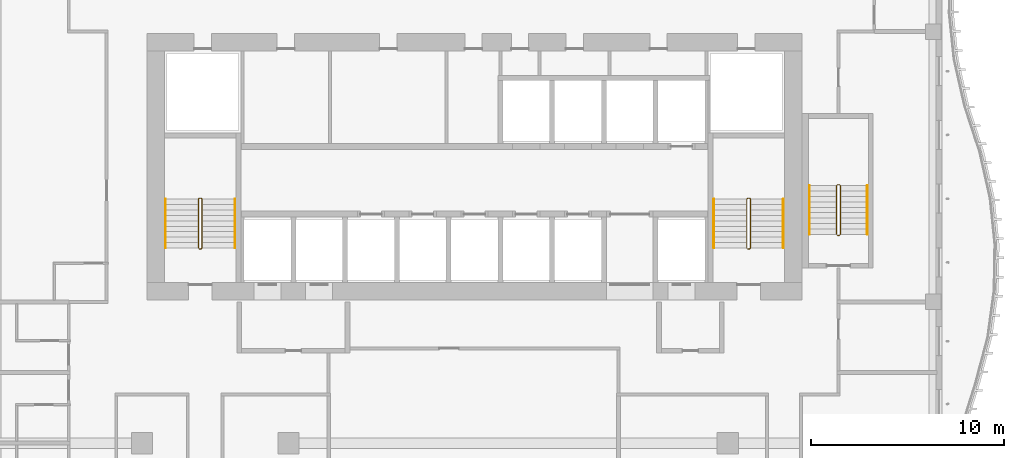
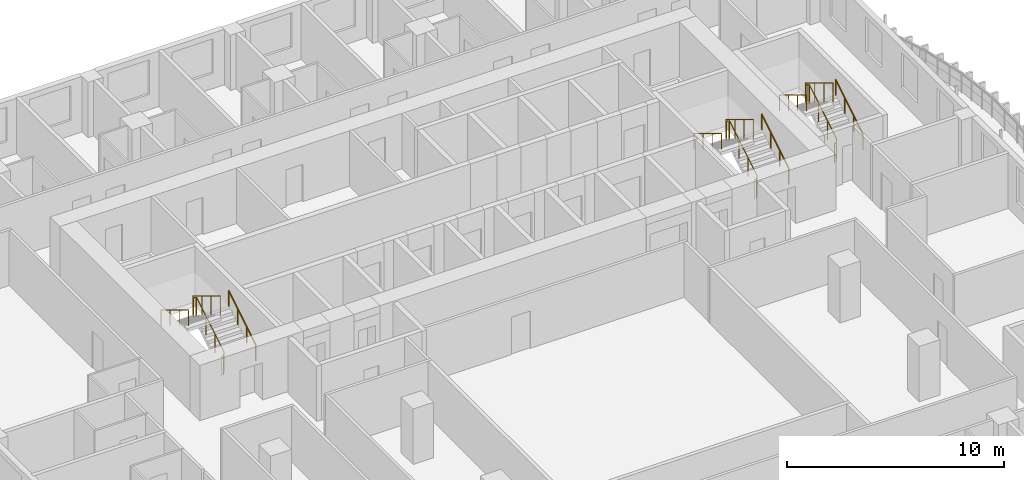
# One storey, part 22 of 23: 9 railings.
"""IFC4 building model written with IfcOpenShell, lengths in metres."""

from ifc_helpers import new_model, si_unit, direction, frame, origin, origin_2d, place, context, subcontext, project, spatial, circle, extrude, material, type_object, element, save


model = new_model("IFC4")

# Units and contexts
model_context = context("Model", 3, precision=1e-05, world=origin(), true_north=direction((0.0, 1.0)))
body_context = subcontext(model_context, "Body", "Model", "MODEL_VIEW")
ifc_project = project(units=[si_unit("LENGTHUNIT", "METRE"), si_unit("AREAUNIT", "SQUARE_METRE"), si_unit("VOLUMEUNIT", "CUBIC_METRE"), si_unit("PLANEANGLEUNIT", "RADIAN"), si_unit("MASSUNIT", "GRAM", prefix="KILO")], contexts=[model_context])

# Site, building, storey
site_placement = place(None, origin())
site = spatial("IfcSite", under=ifc_project, at=site_placement, CompositionType="ELEMENT")
building_placement = place(site_placement, origin())
building = spatial("IfcBuilding", under=site, at=building_placement, Name="Kilnfold Tower and Market Hall", CompositionType="ELEMENT")
storey_placement = place(building_placement, frame((0.0, 0.0, 150.699951171875)))
storey = spatial("IfcBuildingStorey", under=building, at=storey_placement, Name="L34", CompositionType="ELEMENT", Elevation=150.699951171875)

# Railings
ifc_material_1 = material(Name="Stainless steel 316", Category="steel")
railing_type_1 = type_object("IfcRailingType", Name="CORE STAIR GUARD 1100", PredefinedType="GUARDRAIL", material=ifc_material_1)
railing_1_placement = place(storey_placement, frame((-13.199951171875, 10.75, 0.0)))
element("IfcRailing", 1, at=railing_1_placement, inside=storey, type_object=railing_type_1, Name="L34 ST1 stair guard 1", PredefinedType="GUARDRAIL", context=body_context, shape_type="SweptSolid", body=[
    extrude(circle(Radius=0.02392578125, at=origin_2d()), frame((0.0, 0.0, 1.076171875), z_axis=(1.0, 0.0, 0.0), x_axis=(0.0, 1.0, 0.0)), (0.0, 0.0, 1.0), 0.099853515625),
    extrude(circle(Radius=0.02392578125, at=origin_2d()), frame((0.099853515625, 0.0, 1.076171875), z_axis=(0.271562723297, 0.271562723297, 0.923313259209), x_axis=(-0.707106781187, 0.707106781187, 0.0)), (0.0, 0.0, 1.0), 0.184326171875),
    extrude(circle(Radius=0.02392578125, at=origin_2d()), frame((0.14990234375, 0.050048828125, 1.24609375), z_axis=(0.0, 0.854821627497, 0.518921945155), x_axis=(-1.0, 0.0, 0.0)), (0.0, 0.0, 1.0), 2.947998046875),
    extrude(circle(Radius=0.02392578125, at=origin_2d()), frame((0.14990234375, 2.570068359375, 2.77587890625), z_axis=(-0.707106781187, 0.707106781187, 0.0), x_axis=(-0.707106781187, -0.707106781187, 0.0)), (0.0, 0.0, 1.0), 0.07080078125),
    extrude(circle(Radius=0.02392578125, at=origin_2d()), frame((0.099853515625, 2.6201171875, 2.77587890625), z_axis=(-1.0, 0.0, 0.0), x_axis=(0.0, -1.0, 0.0)), (0.0, 0.0, 1.0), 0.099853515625),
    extrude(circle(Radius=0.02392578125, at=origin_2d()), frame((0.0, 2.6201171875, 2.77587890625), z_axis=(-0.271562723297, -0.271562723297, 0.923313259209), x_axis=(0.707106781187, -0.707106781187, 0.0)), (0.0, 0.0, 1.0), 0.184326171875),
    extrude(circle(Radius=0.02392578125, at=origin_2d()), frame((-0.050048828125, 2.570068359375, 2.9462890625), z_axis=(0.0, -0.85478489116, 0.518982456201), x_axis=(1.0, 0.0, 0.0)), (0.0, 0.0, 1.0), 2.9482421875),
    extrude(circle(Radius=0.02099609375, at=origin_2d()), origin(), (0.0, 0.0, 1.0), 1.052001953125),
    extrude(circle(Radius=0.02099609375, at=origin_2d()), frame((0.099853515625, 0.0, 0.0)), (0.0, 0.0, 1.0), 1.052001953125),
    extrude(circle(Radius=0.02099609375, at=origin_2d()), frame((0.14990234375, 0.050048828125, 0.170166015625)), (0.0, 0.0, 1.0), 1.052001953125),
    extrude(circle(Radius=0.02099609375, at=origin_2d()), frame((0.14990234375, 0.89013671875, 0.68017578125)), (0.0, 0.0, 1.0), 1.052001953125),
    extrude(circle(Radius=0.02099609375, at=origin_2d()), frame((0.14990234375, 1.72998046875, 1.18994140625)), (0.0, 0.0, 1.0), 1.052001953125),
    extrude(circle(Radius=0.02099609375, at=origin_2d()), frame((0.14990234375, 2.570068359375, 1.699951171875)), (0.0, 0.0, 1.0), 1.052001953125),
    extrude(circle(Radius=0.02099609375, at=origin_2d()), frame((0.099853515625, 2.6201171875, 1.699951171875)), (0.0, 0.0, 1.0), 1.052001953125),
    extrude(circle(Radius=0.02099609375, at=origin_2d()), frame((0.0, 2.6201171875, 1.699951171875)), (0.0, 0.0, 1.0), 1.052001953125),
    extrude(circle(Radius=0.02099609375, at=origin_2d()), frame((-0.050048828125, 2.570068359375, 1.8701171875)), (0.0, 0.0, 1.0), 1.052001953125),
    extrude(circle(Radius=0.02099609375, at=origin_2d()), frame((-0.050048828125, 1.72998046875, 2.380126953125)), (0.0, 0.0, 1.0), 1.052001953125),
    extrude(circle(Radius=0.02099609375, at=origin_2d()), frame((-0.050048828125, 0.89013671875, 2.89013671875)), (0.0, 0.0, 1.0), 1.052001953125),
    extrude(circle(Radius=0.02099609375, at=origin_2d()), frame((-0.050048828125, 0.050048828125, 3.400146484375)), (0.0, 0.0, 1.0), 1.052001953125),
])
railing_2_placement = place(storey_placement, frame((15.199951171875, 10.75, 0.0)))
element("IfcRailing", 2, at=railing_2_placement, inside=storey, type_object=railing_type_1, Name="L34 ST2 stair guard 1", PredefinedType="GUARDRAIL", context=body_context, shape_type="SweptSolid", body=[
    extrude(circle(Radius=0.02392578125, at=origin_2d()), frame((0.0, 0.0, 1.076171875), z_axis=(1.0, 0.0, 0.0), x_axis=(0.0, 1.0, 0.0)), (0.0, 0.0, 1.0), 0.10009765625),
    extrude(circle(Radius=0.02392578125, at=origin_2d()), frame((0.10009765625, 0.0, 1.076171875), z_axis=(0.271562723297, 0.271562723297, 0.923313259209), x_axis=(-0.707106781187, 0.707106781187, 0.0)), (0.0, 0.0, 1.0), 0.184326171875),
    extrude(circle(Radius=0.02392578125, at=origin_2d()), frame((0.150146484375, 0.050048828125, 1.24609375), z_axis=(0.0, 0.854821627497, 0.518921945155), x_axis=(-1.0, 0.0, 0.0)), (0.0, 0.0, 1.0), 2.947998046875),
    extrude(circle(Radius=0.02392578125, at=origin_2d()), frame((0.150146484375, 2.570068359375, 2.77587890625), z_axis=(-0.707106781187, 0.707106781187, 0.0), x_axis=(-0.707106781187, -0.707106781187, 0.0)), (0.0, 0.0, 1.0), 0.07080078125),
    extrude(circle(Radius=0.02392578125, at=origin_2d()), frame((0.10009765625, 2.6201171875, 2.77587890625), z_axis=(-1.0, 0.0, 0.0), x_axis=(0.0, -1.0, 0.0)), (0.0, 0.0, 1.0), 0.10009765625),
    extrude(circle(Radius=0.02392578125, at=origin_2d()), frame((0.0, 2.6201171875, 2.77587890625), z_axis=(-0.271562723297, -0.271562723297, 0.923313259209), x_axis=(0.707106781187, -0.707106781187, 0.0)), (0.0, 0.0, 1.0), 0.184326171875),
    extrude(circle(Radius=0.02392578125, at=origin_2d()), frame((-0.050048828125, 2.570068359375, 2.9462890625), z_axis=(0.0, -0.85478489116, 0.518982456201), x_axis=(1.0, 0.0, 0.0)), (0.0, 0.0, 1.0), 2.9482421875),
    extrude(circle(Radius=0.02099609375, at=origin_2d()), origin(), (0.0, 0.0, 1.0), 1.052001953125),
    extrude(circle(Radius=0.02099609375, at=origin_2d()), frame((0.10009765625, 0.0, 0.0)), (0.0, 0.0, 1.0), 1.052001953125),
    extrude(circle(Radius=0.02099609375, at=origin_2d()), frame((0.150146484375, 0.050048828125, 0.170166015625)), (0.0, 0.0, 1.0), 1.052001953125),
    extrude(circle(Radius=0.02099609375, at=origin_2d()), frame((0.150146484375, 0.89013671875, 0.68017578125)), (0.0, 0.0, 1.0), 1.052001953125),
    extrude(circle(Radius=0.02099609375, at=origin_2d()), frame((0.150146484375, 1.72998046875, 1.18994140625)), (0.0, 0.0, 1.0), 1.052001953125),
    extrude(circle(Radius=0.02099609375, at=origin_2d()), frame((0.150146484375, 2.570068359375, 1.699951171875)), (0.0, 0.0, 1.0), 1.052001953125),
    extrude(circle(Radius=0.02099609375, at=origin_2d()), frame((0.10009765625, 2.6201171875, 1.699951171875)), (0.0, 0.0, 1.0), 1.052001953125),
    extrude(circle(Radius=0.02099609375, at=origin_2d()), frame((0.0, 2.6201171875, 1.699951171875)), (0.0, 0.0, 1.0), 1.052001953125),
    extrude(circle(Radius=0.02099609375, at=origin_2d()), frame((-0.050048828125, 2.570068359375, 1.8701171875)), (0.0, 0.0, 1.0), 1.052001953125),
    extrude(circle(Radius=0.02099609375, at=origin_2d()), frame((-0.050048828125, 1.72998046875, 2.380126953125)), (0.0, 0.0, 1.0), 1.052001953125),
    extrude(circle(Radius=0.02099609375, at=origin_2d()), frame((-0.050048828125, 0.89013671875, 2.89013671875)), (0.0, 0.0, 1.0), 1.052001953125),
    extrude(circle(Radius=0.02099609375, at=origin_2d()), frame((-0.050048828125, 0.050048828125, 3.400146484375)), (0.0, 0.0, 1.0), 1.052001953125),
])
railing_3_placement = place(storey_placement, frame((19.85009765625, 11.449951171875, 0.0)))
element("IfcRailing", 3, at=railing_3_placement, inside=storey, type_object=railing_type_1, Name="L34 ST5 stair guard 1", PredefinedType="GUARDRAIL", context=body_context, shape_type="SweptSolid", body=[
    extrude(circle(Radius=0.02392578125, at=origin_2d()), frame((0.0, 0.0, 1.076171875), z_axis=(1.0, 0.0, 0.0), x_axis=(0.0, 1.0, 0.0)), (0.0, 0.0, 1.0), 0.099853515625),
    extrude(circle(Radius=0.02392578125, at=origin_2d()), frame((0.099853515625, 0.0, 1.076171875), z_axis=(0.271562723297, 0.271562723297, 0.923313259209), x_axis=(-0.707106781187, 0.707106781187, 0.0)), (0.0, 0.0, 1.0), 0.184326171875),
    extrude(circle(Radius=0.02392578125, at=origin_2d()), frame((0.14990234375, 0.050048828125, 1.24609375), z_axis=(0.0, 0.854821627497, 0.518921945155), x_axis=(-1.0, 0.0, 0.0)), (0.0, 0.0, 1.0), 2.947998046875),
    extrude(circle(Radius=0.02392578125, at=origin_2d()), frame((0.14990234375, 2.570068359375, 2.77587890625), z_axis=(-0.707106781187, 0.707106781187, 0.0), x_axis=(-0.707106781187, -0.707106781187, 0.0)), (0.0, 0.0, 1.0), 0.07080078125),
    extrude(circle(Radius=0.02392578125, at=origin_2d()), frame((0.099853515625, 2.6201171875, 2.77587890625), z_axis=(-1.0, 0.0, 0.0), x_axis=(0.0, -1.0, 0.0)), (0.0, 0.0, 1.0), 0.099853515625),
    extrude(circle(Radius=0.02392578125, at=origin_2d()), frame((0.0, 2.6201171875, 2.77587890625), z_axis=(-0.271562723297, -0.271562723297, 0.923313259209), x_axis=(0.707106781187, -0.707106781187, 0.0)), (0.0, 0.0, 1.0), 0.184326171875),
    extrude(circle(Radius=0.02392578125, at=origin_2d()), frame((-0.050048828125, 2.570068359375, 2.9462890625), z_axis=(0.0, -0.85478489116, 0.518982456201), x_axis=(1.0, 0.0, 0.0)), (0.0, 0.0, 1.0), 2.9482421875),
    extrude(circle(Radius=0.02099609375, at=origin_2d()), origin(), (0.0, 0.0, 1.0), 1.052001953125),
    extrude(circle(Radius=0.02099609375, at=origin_2d()), frame((0.099853515625, 0.0, 0.0)), (0.0, 0.0, 1.0), 1.052001953125),
    extrude(circle(Radius=0.02099609375, at=origin_2d()), frame((0.14990234375, 0.050048828125, 0.170166015625)), (0.0, 0.0, 1.0), 1.052001953125),
    extrude(circle(Radius=0.02099609375, at=origin_2d()), frame((0.14990234375, 0.89013671875, 0.68017578125)), (0.0, 0.0, 1.0), 1.052001953125),
    extrude(circle(Radius=0.02099609375, at=origin_2d()), frame((0.14990234375, 1.72998046875, 1.18994140625)), (0.0, 0.0, 1.0), 1.052001953125),
    extrude(circle(Radius=0.02099609375, at=origin_2d()), frame((0.14990234375, 2.570068359375, 1.699951171875)), (0.0, 0.0, 1.0), 1.052001953125),
    extrude(circle(Radius=0.02099609375, at=origin_2d()), frame((0.099853515625, 2.6201171875, 1.699951171875)), (0.0, 0.0, 1.0), 1.052001953125),
    extrude(circle(Radius=0.02099609375, at=origin_2d()), frame((0.0, 2.6201171875, 1.699951171875)), (0.0, 0.0, 1.0), 1.052001953125),
    extrude(circle(Radius=0.02099609375, at=origin_2d()), frame((-0.050048828125, 2.570068359375, 1.8701171875)), (0.0, 0.0, 1.0), 1.052001953125),
    extrude(circle(Radius=0.02099609375, at=origin_2d()), frame((-0.050048828125, 1.72998046875, 2.380126953125)), (0.0, 0.0, 1.0), 1.052001953125),
    extrude(circle(Radius=0.02099609375, at=origin_2d()), frame((-0.050048828125, 0.89013671875, 2.89013671875)), (0.0, 0.0, 1.0), 1.052001953125),
    extrude(circle(Radius=0.02099609375, at=origin_2d()), frame((-0.050048828125, 0.050048828125, 3.400146484375)), (0.0, 0.0, 1.0), 1.052001953125),
])
ifc_material_2 = material(Name="Stainless steel 316", Category="steel")
railing_type_2 = type_object("IfcRailingType", Name="CORE STAIR HANDRAIL 900", PredefinedType="HANDRAIL", material=ifc_material_2)
railing_4_placement = place(storey_placement, frame((-11.35009765625, 10.800048828125, 0.170166015625)))
element("IfcRailing", 4, at=railing_4_placement, inside=storey, type_object=railing_type_2, Name="L34 ST1 stair handrail 1", PredefinedType="HANDRAIL", context=body_context, shape_type="SweptSolid", body=[
    extrude(circle(Radius=0.02392578125, at=origin_2d()), frame((0.0, 0.0, 0.8759765625), z_axis=(0.0, 0.854821627497, 0.518921945155), x_axis=(-1.0, 0.0, 0.0)), (0.0, 0.0, 1.0), 2.947998046875),
    extrude(circle(Radius=0.02099609375, at=origin_2d()), origin(), (0.0, 0.0, 1.0), 0.851806640625),
    extrude(circle(Radius=0.02099609375, at=origin_2d()), frame((0.0, 0.840087890625, 0.510009765625)), (0.0, 0.0, 1.0), 0.851806640625),
    extrude(circle(Radius=0.02099609375, at=origin_2d()), frame((0.0, 1.679931640625, 1.019775390625)), (0.0, 0.0, 1.0), 0.851806640625),
    extrude(circle(Radius=0.02099609375, at=origin_2d()), frame((0.0, 2.52001953125, 1.52978515625)), (0.0, 0.0, 1.0), 0.851806640625),
])
railing_5_placement = place(storey_placement, frame((-14.949951171875, 13.320068359375, 1.8701171875)))
element("IfcRailing", 5, at=railing_5_placement, inside=storey, type_object=railing_type_2, Name="L34 ST1 stair handrail 2", PredefinedType="HANDRAIL", context=body_context, shape_type="SweptSolid", body=[
    extrude(circle(Radius=0.02392578125, at=origin_2d()), frame((0.0, 0.0, 0.8759765625), z_axis=(0.0, -0.85478489116, 0.518982456201), x_axis=(1.0, 0.0, 0.0)), (0.0, 0.0, 1.0), 2.9482421875),
    extrude(circle(Radius=0.02099609375, at=origin_2d()), origin(), (0.0, 0.0, 1.0), 0.851806640625),
    extrude(circle(Radius=0.02099609375, at=origin_2d()), frame((0.0, -0.840087890625, 0.510009765625)), (0.0, 0.0, 1.0), 0.851806640625),
    extrude(circle(Radius=0.02099609375, at=origin_2d()), frame((0.0, -1.679931640625, 1.02001953125)), (0.0, 0.0, 1.0), 0.851806640625),
    extrude(circle(Radius=0.02099609375, at=origin_2d()), frame((0.0, -2.52001953125, 1.530029296875)), (0.0, 0.0, 1.0), 0.851806640625),
])
railing_6_placement = place(storey_placement, frame((17.050048828125, 10.800048828125, 0.170166015625)))
element("IfcRailing", 6, at=railing_6_placement, inside=storey, type_object=railing_type_2, Name="L34 ST2 stair handrail 1", PredefinedType="HANDRAIL", context=body_context, shape_type="SweptSolid", body=[
    extrude(circle(Radius=0.02392578125, at=origin_2d()), frame((0.0, 0.0, 0.8759765625), z_axis=(0.0, 0.854821627497, 0.518921945155), x_axis=(-1.0, 0.0, 0.0)), (0.0, 0.0, 1.0), 2.947998046875),
    extrude(circle(Radius=0.02099609375, at=origin_2d()), origin(), (0.0, 0.0, 1.0), 0.851806640625),
    extrude(circle(Radius=0.02099609375, at=origin_2d()), frame((0.0, 0.840087890625, 0.510009765625)), (0.0, 0.0, 1.0), 0.851806640625),
    extrude(circle(Radius=0.02099609375, at=origin_2d()), frame((0.0, 1.679931640625, 1.019775390625)), (0.0, 0.0, 1.0), 0.851806640625),
    extrude(circle(Radius=0.02099609375, at=origin_2d()), frame((0.0, 2.52001953125, 1.52978515625)), (0.0, 0.0, 1.0), 0.851806640625),
])
railing_7_placement = place(storey_placement, frame((13.449951171875, 13.320068359375, 1.8701171875)))
element("IfcRailing", 7, at=railing_7_placement, inside=storey, type_object=railing_type_2, Name="L34 ST2 stair handrail 2", PredefinedType="HANDRAIL", context=body_context, shape_type="SweptSolid", body=[
    extrude(circle(Radius=0.02392578125, at=origin_2d()), frame((0.0, 0.0, 0.8759765625), z_axis=(0.0, -0.85478489116, 0.518982456201), x_axis=(1.0, 0.0, 0.0)), (0.0, 0.0, 1.0), 2.9482421875),
    extrude(circle(Radius=0.02099609375, at=origin_2d()), origin(), (0.0, 0.0, 1.0), 0.851806640625),
    extrude(circle(Radius=0.02099609375, at=origin_2d()), frame((0.0, -0.840087890625, 0.510009765625)), (0.0, 0.0, 1.0), 0.851806640625),
    extrude(circle(Radius=0.02099609375, at=origin_2d()), frame((0.0, -1.679931640625, 1.02001953125)), (0.0, 0.0, 1.0), 0.851806640625),
    extrude(circle(Radius=0.02099609375, at=origin_2d()), frame((0.0, -2.52001953125, 1.530029296875)), (0.0, 0.0, 1.0), 0.851806640625),
])
railing_8_placement = place(storey_placement, frame((21.39990234375, 11.5, 0.170166015625)))
element("IfcRailing", 8, at=railing_8_placement, inside=storey, type_object=railing_type_2, Name="L34 ST5 stair handrail 1", PredefinedType="HANDRAIL", context=body_context, shape_type="SweptSolid", body=[
    extrude(circle(Radius=0.02392578125, at=origin_2d()), frame((0.0, 0.0, 0.8759765625), z_axis=(0.0, 0.854821627497, 0.518921945155), x_axis=(-1.0, 0.0, 0.0)), (0.0, 0.0, 1.0), 2.947998046875),
    extrude(circle(Radius=0.02099609375, at=origin_2d()), origin(), (0.0, 0.0, 1.0), 0.851806640625),
    extrude(circle(Radius=0.02099609375, at=origin_2d()), frame((0.0, 0.840087890625, 0.510009765625)), (0.0, 0.0, 1.0), 0.851806640625),
    extrude(circle(Radius=0.02099609375, at=origin_2d()), frame((0.0, 1.679931640625, 1.019775390625)), (0.0, 0.0, 1.0), 0.851806640625),
    extrude(circle(Radius=0.02099609375, at=origin_2d()), frame((0.0, 2.52001953125, 1.52978515625)), (0.0, 0.0, 1.0), 0.851806640625),
])
railing_9_placement = place(storey_placement, frame((18.39990234375, 14.02001953125, 1.8701171875)))
element("IfcRailing", 9, at=railing_9_placement, inside=storey, type_object=railing_type_2, Name="L34 ST5 stair handrail 2", PredefinedType="HANDRAIL", context=body_context, shape_type="SweptSolid", body=[
    extrude(circle(Radius=0.02392578125, at=origin_2d()), frame((0.0, 0.0, 0.8759765625), z_axis=(0.0, -0.85478489116, 0.518982456201), x_axis=(1.0, 0.0, 0.0)), (0.0, 0.0, 1.0), 2.9482421875),
    extrude(circle(Radius=0.02099609375, at=origin_2d()), origin(), (0.0, 0.0, 1.0), 0.851806640625),
    extrude(circle(Radius=0.02099609375, at=origin_2d()), frame((0.0, -0.840087890625, 0.510009765625)), (0.0, 0.0, 1.0), 0.851806640625),
    extrude(circle(Radius=0.02099609375, at=origin_2d()), frame((0.0, -1.679931640625, 1.02001953125)), (0.0, 0.0, 1.0), 0.851806640625),
    extrude(circle(Radius=0.02099609375, at=origin_2d()), frame((0.0, -2.52001953125, 1.530029296875)), (0.0, 0.0, 1.0), 0.851806640625),
])

save(model, "model.ifc")
